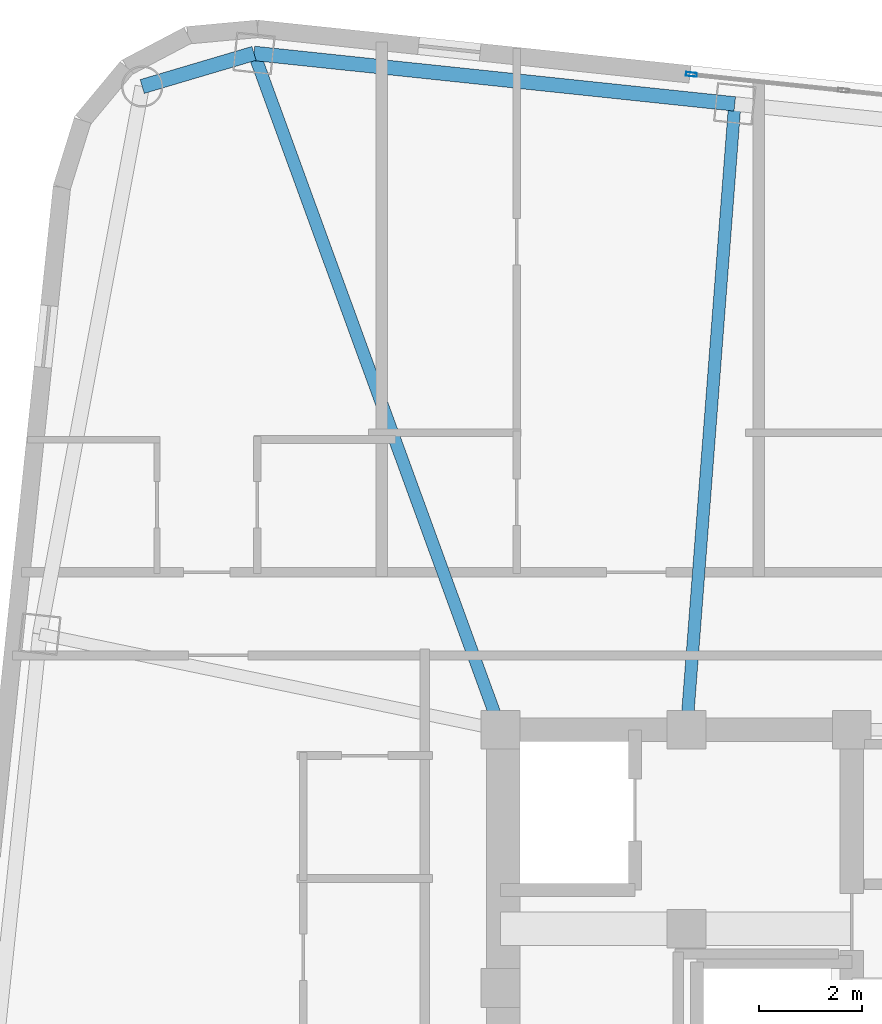
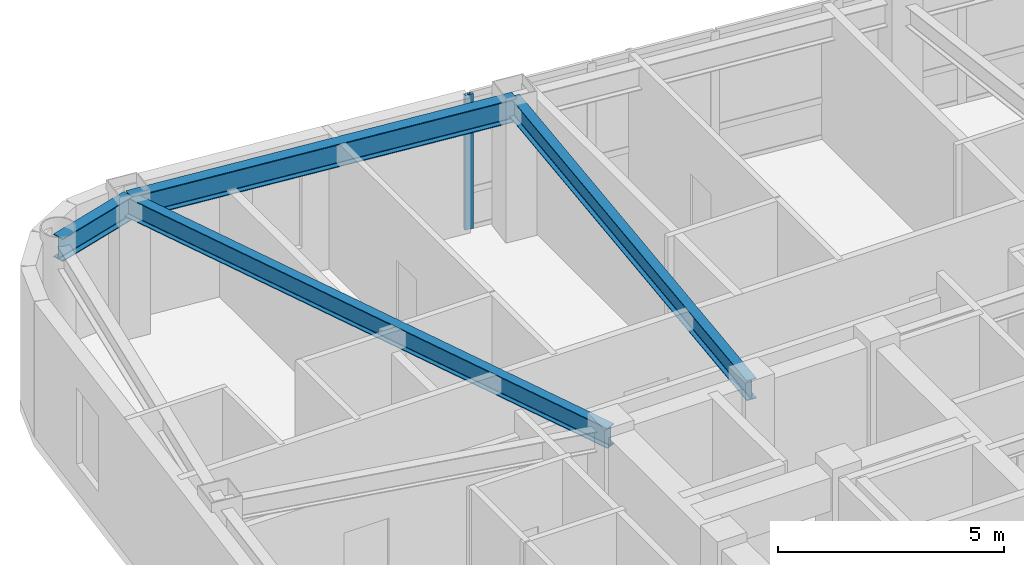
# One storey, part 2 of 15: 4 beams, 1 member, 1 element without a shape of its own.
"""IFC4 building model written with IfcOpenShell, lengths in metres."""

from ifc_helpers import new_model, si_unit, direction, frame, origin, origin_2d, place, context, subcontext, project, spatial, hollow_rectangle, i_section, extrude, material, layer, layer_set, material_profile, profile_set, type_object, element, aggregate, save


model = new_model("IFC4")

# Units and contexts
model_context = context("Model", 3, precision=1e-05, world=origin(), true_north=direction((0.0, 1.0)))
body_context = subcontext(model_context, "Body", "Model", "MODEL_VIEW")
ifc_project = project(units=[si_unit("LENGTHUNIT", "METRE"), si_unit("AREAUNIT", "SQUARE_METRE"), si_unit("VOLUMEUNIT", "CUBIC_METRE"), si_unit("PLANEANGLEUNIT", "RADIAN"), si_unit("MASSUNIT", "GRAM", prefix="KILO")], contexts=[model_context])

# Site, building, storey
site_placement = place(None, origin())
site = spatial("IfcSite", under=ifc_project, at=site_placement, CompositionType="ELEMENT")
building_placement = place(site_placement, origin())
building = spatial("IfcBuilding", under=site, at=building_placement, Name="Voryun Gate Residences", CompositionType="ELEMENT")
storey_placement = place(building_placement, frame((0.0, 0.0, 263.89990234375)))
storey = spatial("IfcBuildingStorey", under=building, at=storey_placement, Name="L65", CompositionType="ELEMENT", Elevation=263.89990234375)

# Beams
ifc_material_1 = material(Name="Steel SM355", Category="steel")
ifc_material_profile_1 = material_profile(ifc_material_1, i_section(OverallWidth=0.280029296875, OverallDepth=0.6201171875, WebThickness=0.013916015625, FlangeThickness=0.02197265625, FilletRadius=0.01806640625, at=origin_2d()), Name="H-620x280x14x22")
ifc_profile_set_1 = profile_set([ifc_material_profile_1], Name="Steel SM355")
beam_type_1 = type_object("IfcBeamType", Name="BM_EXO_SPANDREL_H", PredefinedType="SPANDREL", material=ifc_profile_set_1)
beam_1_placement = place(storey_placement, frame((-14.666015625, 19.51806640625, 3.340087890625), z_axis=(-0.994520307047, 0.104543574031, 0.0), x_axis=(-0.104543574031, -0.994520307047, 0.0)))
element("IfcBeam", 1, at=beam_1_placement, inside=storey, type_object=beam_type_1, Name="BM-L65-SPAND-15", PredefinedType="SPANDREL", context=body_context, shape_type="SweptSolid", body=[
    extrude(i_section(OverallWidth=0.280029296875, OverallDepth=0.6201171875, WebThickness=0.013916015625, FlangeThickness=0.02197265625, FilletRadius=0.01806640625, at=origin_2d()), origin(), (0.0, 0.0, 1.0), 9.35986328125),
])
beam_2_placement = place(storey_placement, frame((-23.974609375, 20.49658203125, 3.340087890625), z_axis=(-0.958805748412, -0.28406255792, 0.0), x_axis=(0.28406255792, -0.958805748412, 0.0)))
element("IfcBeam", 2, at=beam_2_placement, inside=storey, type_object=beam_type_1, Name="BM-L65-SPAND-16", PredefinedType="SPANDREL", context=body_context, shape_type="SweptSolid", body=[
    extrude(i_section(OverallWidth=0.280029296875, OverallDepth=0.6201171875, WebThickness=0.013916015625, FlangeThickness=0.02197265625, FilletRadius=0.01806640625, at=origin_2d()), origin(), (0.0, 0.0, 1.0), 2.2578125),
])
ifc_material_2 = material(Name="Steel SM355", Category="steel")
ifc_material_profile_2 = material_profile(ifc_material_2, i_section(OverallWidth=0.239990234375, OverallDepth=0.550048828125, WebThickness=0.011962890625, FlangeThickness=0.02001953125, FilletRadius=0.01806640625, at=origin_2d()), Name="H-550x240x12x20")
ifc_profile_set_2 = profile_set([ifc_material_profile_2], Name="Steel SM355")
beam_type_2 = type_object("IfcBeamType", Name="BM_GIRD_550", PredefinedType="USERDEFINED", material=ifc_profile_set_2)
beam_3_placement = place(storey_placement, frame((-15.60009765625, 7.39990234375, 3.375), z_axis=(0.07685317718, 0.997042420942, 0.0), x_axis=(-0.997042420942, 0.07685317718, 0.0)))
element("IfcBeam", 3, at=beam_3_placement, inside=storey, type_object=beam_type_2, Name="BM-L65-RAD-N5", ObjectType="GIRDER", PredefinedType="USERDEFINED", context=body_context, shape_type="SweptSolid", body=[
    extrude(i_section(OverallWidth=0.239990234375, OverallDepth=0.550048828125, WebThickness=0.011962890625, FlangeThickness=0.02001953125, FilletRadius=0.01806640625, at=origin_2d()), origin(), (0.0, 0.0, 1.0), 12.154052734375),
])
beam_4_placement = place(storey_placement, frame((-19.199951171875, 7.39990234375, 3.375), z_axis=(-0.342517773666, 0.939511348906, 0.0), x_axis=(-0.939511348906, -0.342517773666, 0.0)))
element("IfcBeam", 4, at=beam_4_placement, inside=storey, type_object=beam_type_2, Name="BM-L65-RAD-N6", ObjectType="GIRDER", PredefinedType="USERDEFINED", context=body_context, shape_type="SweptSolid", body=[
    extrude(i_section(OverallWidth=0.239990234375, OverallDepth=0.550048828125, WebThickness=0.011962890625, FlangeThickness=0.02001953125, FilletRadius=0.01806640625, at=origin_2d()), origin(), (0.0, 0.0, 1.0), 13.93994140625),
])

# Curtain wall, member
ifc_material_3 = material(Name="Anodised aluminium", Category="aluminium")
ifc_layer = layer(ifc_material_3, 0.2099609375, Name="CW_SYS_SKYGARDEN_DARK_GLASS")
ifc_layer_set = layer_set([ifc_layer], Name="Anodised aluminium")
curtain_wall_type = type_object("IfcCurtainWallType", Name="CW_SYS_SKYGARDEN_DARK_GLASS", PredefinedType="NOTDEFINED", material=ifc_layer_set)
curtain_wall_placement = place(storey_placement, origin())
curtain_wall = element("IfcCurtainWall", 5, at=curtain_wall_placement, inside=storey, type_object=curtain_wall_type, Name="Curtain wall CW5-L65-SG-11", PredefinedType="NOTDEFINED")
ifc_material_4 = material(Name="Anodised aluminium", Category="aluminium")
ifc_material_profile_3 = material_profile(ifc_material_4, hollow_rectangle(XDim=0.074951171875, YDim=0.2099609375, WallThickness=0.0048828125, at=origin_2d()), Name="ALU-MULL-210x75x5")
ifc_profile_set_3 = profile_set([ifc_material_profile_3], Name="Anodised aluminium")
member_type = type_object("IfcMemberType", Name="CW_MULL_SKY", PredefinedType="MULLION", material=ifc_profile_set_3)
member_placement = place(storey_placement, frame((-15.506103515625, 20.089111328125, 0.0), z_axis=(0.0, 0.0, 1.0), x_axis=(0.104532256285, 0.994521496699, 0.0)))
member = element("IfcMember", 6, at=member_placement, type_object=member_type, Name="CW5 mullion 1", PredefinedType="MULLION", context=body_context, shape_type="SweptSolid", body=[
    extrude(hollow_rectangle(XDim=0.074951171875, YDim=0.2099609375, WallThickness=0.0048828125, at=origin_2d()), origin(), (0.0, 0.0, 1.0), 3.650146484375),
])
aggregate(curtain_wall, [member])

save(model, "model.ifc")
